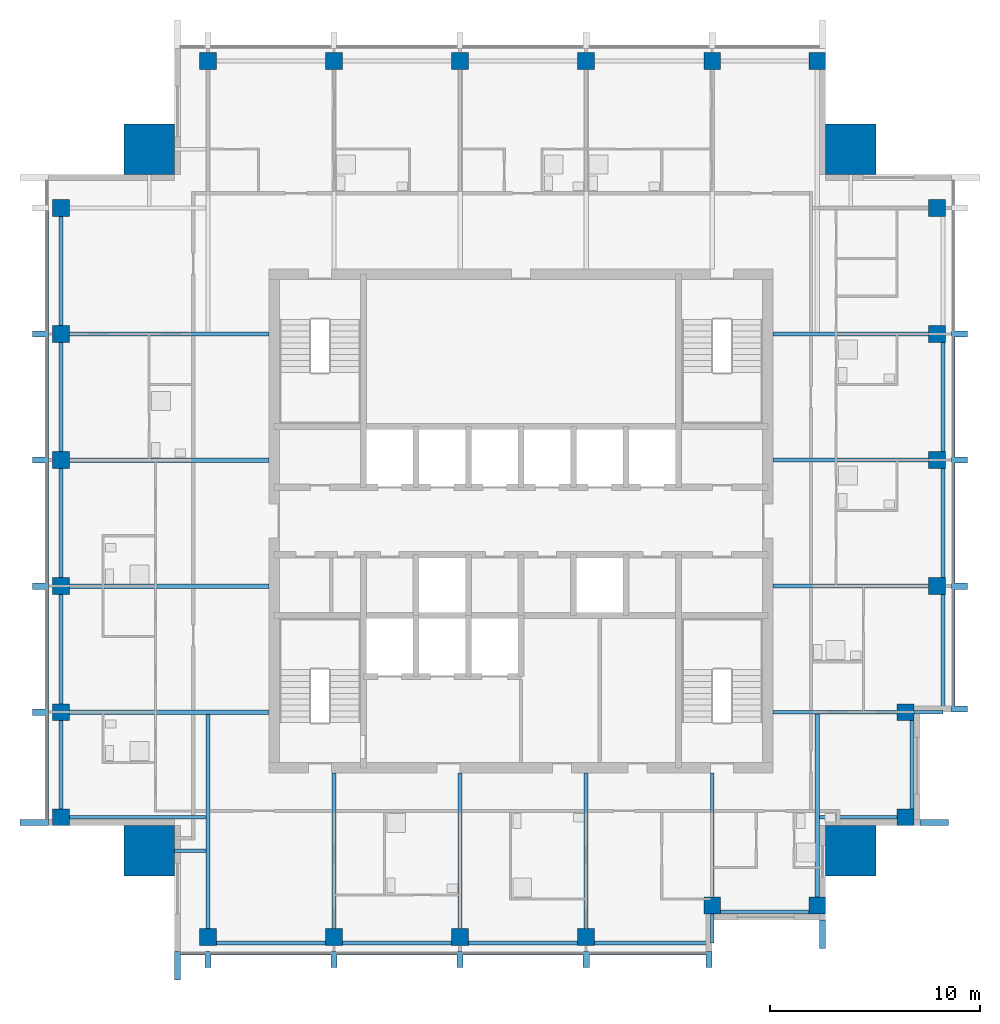
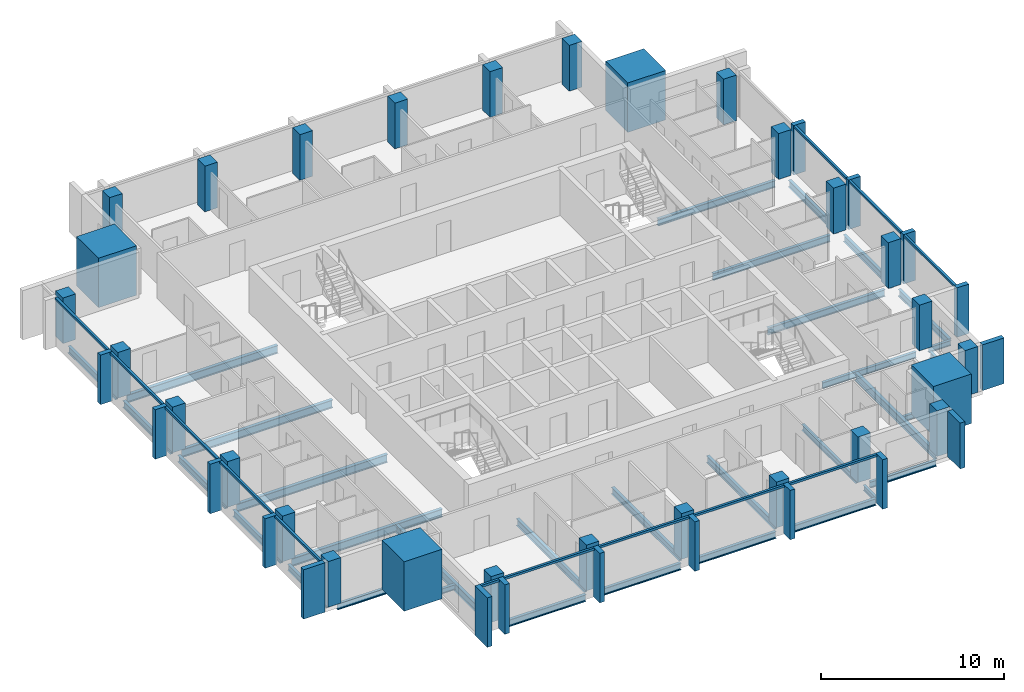
# One storey, part 1 of 9: 33 beams, 30 members, 28 columns, 3 elements without a shape of their own.
"""IFC4 building model written with IfcOpenShell, lengths in metres."""

from ifc_helpers import new_model, si_unit, direction, frame, origin, origin_2d, place, context, subcontext, project, spatial, rectangle, i_section, extrude, material, material_profile, profile_set, type_object, element, aggregate, save


model = new_model("IFC4")

# Units and contexts
model_context = context("Model", 3, precision=1e-05, world=origin(), true_north=direction((0.0, 1.0)))
body_context = subcontext(model_context, "Body", "Model", "MODEL_VIEW")
ifc_project = project(units=[si_unit("LENGTHUNIT", "METRE"), si_unit("AREAUNIT", "SQUARE_METRE"), si_unit("VOLUMEUNIT", "CUBIC_METRE"), si_unit("PLANEANGLEUNIT", "RADIAN"), si_unit("MASSUNIT", "GRAM", prefix="KILO")], contexts=[model_context])

# Site, building, storey
site_placement = place(None, origin())
site = spatial("IfcSite", under=ifc_project, at=site_placement, CompositionType="ELEMENT")
building_placement = place(site_placement, origin())
building = spatial("IfcBuilding", under=site, at=building_placement, Name="Amberfall Residences", CompositionType="ELEMENT")
storey_placement = place(building_placement, frame((0.0, 0.0, 265.300048828125)))
storey = spatial("IfcBuildingStorey", under=building, at=storey_placement, Name="L71", CompositionType="ELEMENT", Elevation=265.300048828125)

# Columns
ifc_material_1 = material(Name="Concrete C50", Category="concrete")
ifc_material_profile_1 = material_profile(ifc_material_1, rectangle(XDim=0.800048828125, YDim=0.800048828125, at=origin_2d()), Name="Column 800 x 800 C50")
ifc_profile_set_1 = profile_set([ifc_material_profile_1], Name="Concrete C50")
column_type_1 = type_object("IfcColumnType", Name="Column 800 x 800 C50", PredefinedType="COLUMN", material=ifc_profile_set_1)
for number, where, z_axis, x_axis, name in (
    (1, (59.60009765625, 25.699951171875, 0.0), (0.0, 0.0, 1.0), (1.0, 0.0, 0.0), "Column C5 L71 S1"),
    (2, (65.60009765625, 25.699951171875, 0.0), (0.0, 0.0, 1.0), (1.0, 0.0, 0.0), "Column C5 L71 S2"),
    (3, (71.60009765625, 25.699951171875, 0.0), (0.0, 0.0, 1.0), (1.0, 0.0, 0.0), "Column C5 L71 S3"),
    (4, (77.60009765625, 25.699951171875, 0.0), (0.0, 0.0, 1.0), (1.0, 0.0, 0.0), "Column C5 L71 S4"),
    (5, (83.60009765625, 27.199951171875, 0.0), (0.0, 0.0, 1.0), (1.0, 0.0, 0.0), "Column C5 L71 S5"),
    (6, (88.60009765625, 27.199951171875, 0.0), (0.0, 0.0, 1.0), (1.0, 0.0, 0.0), "Column C5 L71 S6"),
    (7, (92.800048828125, 31.39990234375, 0.0), (0.0, 0.0, 1.0), (1.0, 0.0, 0.0), "Column C5 L71 E1"),
    (8, (92.800048828125, 36.39990234375, 0.0), (0.0, 0.0, 1.0), (1.0, 0.0, 0.0), "Column C5 L71 E2"),
    (9, (94.300048828125, 42.39990234375, 0.0), (0.0, 0.0, 1.0), (1.0, 0.0, 0.0), "Column C5 L71 E3"),
    (10, (94.300048828125, 48.39990234375, 0.0), (0.0, 0.0, 1.0), (1.0, 0.0, 0.0), "Column C5 L71 E4"),
    (11, (94.300048828125, 54.39990234375, 0.0), (0.0, 0.0, 1.0), (1.0, 0.0, 0.0), "Column C5 L71 E5"),
    (12, (94.300048828125, 60.39990234375, 0.0), (0.0, 0.0, 1.0), (1.0, 0.0, 0.0), "Column C5 L71 E6"),
    (13, (59.60009765625, 67.39990234375, 0.0), (0.0, 0.0, 1.0), (1.0, 0.0, 0.0), "Column C5 L71 N1"),
    (14, (65.60009765625, 67.39990234375, 0.0), (0.0, 0.0, 1.0), (1.0, 0.0, 0.0), "Column C5 L71 N2"),
    (15, (71.60009765625, 67.39990234375, 0.0), (0.0, 0.0, 1.0), (1.0, 0.0, 0.0), "Column C5 L71 N3"),
    (16, (77.60009765625, 67.39990234375, 0.0), (0.0, 0.0, 1.0), (1.0, 0.0, 0.0), "Column C5 L71 N4"),
    (17, (83.60009765625, 67.39990234375, 0.0), (0.0, 0.0, 1.0), (1.0, 0.0, 0.0), "Column C5 L71 N5"),
    (18, (88.60009765625, 67.39990234375, 0.0), (0.0, 0.0, 1.0), (1.0, 0.0, 0.0), "Column C5 L71 N6"),
    (19, (52.60009765625, 31.39990234375, 0.0), (0.0, 0.0, 1.0), (1.0, 0.0, 0.0), "Column C5 L71 W1"),
    (20, (52.60009765625, 36.39990234375, 0.0), (0.0, 0.0, 1.0), (1.0, 0.0, 0.0), "Column C5 L71 W2"),
    (21, (52.60009765625, 42.39990234375, 0.0), (0.0, 0.0, 1.0), (1.0, 0.0, 0.0), "Column C5 L71 W3"),
    (22, (52.60009765625, 48.39990234375, 0.0), (0.0, 0.0, 1.0), (1.0, 0.0, 0.0), "Column C5 L71 W4"),
    (23, (52.60009765625, 54.39990234375, 0.0), (0.0, 0.0, 1.0), (1.0, 0.0, 0.0), "Column C5 L71 W5"),
    (24, (52.60009765625, 60.39990234375, 0.0), (0.0, 0.0, 1.0), (1.0, 0.0, 0.0), "Column C5 L71 W6"),
):
    element("IfcColumn", number, at=place(storey_placement, frame(where, z_axis=z_axis, x_axis=x_axis)), inside=storey, type_object=column_type_1, Name=name, PredefinedType="COLUMN", context=body_context, shape_type="SweptSolid", body=[
        extrude(rectangle(XDim=0.800048828125, YDim=0.800048828125, at=origin_2d()), origin(), (0.0, 0.0, 1.0), 3.050048828125),
    ])
ifc_material_profile_2 = material_profile(ifc_material_1, rectangle(XDim=2.39990234375, YDim=2.39990234375, at=origin_2d()), Name="Mega column 2400 x 2400 C50")
ifc_profile_set_2 = profile_set([ifc_material_profile_2], Name="Concrete C50")
column_type_2 = type_object("IfcColumnType", Name="Mega column 2400 x 2400 C50", PredefinedType="COLUMN", material=ifc_profile_set_2)
for number, where, z_axis, x_axis, name in (
    (25, (56.800048828125, 29.800048828125, 0.0), (0.0, 0.0, 1.0), (1.0, 0.0, 0.0), "Mega column MC11 L71 SW"),
    (26, (90.199951171875, 29.800048828125, 0.0), (0.0, 0.0, 1.0), (1.0, 0.0, 0.0), "Mega column MC11 L71 SE"),
    (27, (90.199951171875, 63.199951171875, 0.0), (0.0, 0.0, 1.0), (1.0, 0.0, 0.0), "Mega column MC11 L71 NE"),
    (28, (56.800048828125, 63.199951171875, 0.0), (0.0, 0.0, 1.0), (1.0, 0.0, 0.0), "Mega column MC11 L71 NW"),
):
    element("IfcColumn", number, at=place(storey_placement, frame(where, z_axis=z_axis, x_axis=x_axis)), inside=storey, type_object=column_type_2, Name=name, PredefinedType="COLUMN", context=body_context, shape_type="SweptSolid", body=[
        extrude(rectangle(XDim=2.39990234375, YDim=2.39990234375, at=origin_2d()), origin(), (0.0, 0.0, 1.0), 3.300048828125),
    ])

# Curtain wall, members
ifc_material_2 = material(Name="Bronze anodised aluminium and glass", Category="aluminium")
curtain_wall_type = type_object("IfcCurtainWallType", Name="Curtain wall CW1 tower unit", PredefinedType="USERDEFINED", material=ifc_material_2)
curtain_wall_1_placement = place(storey_placement, origin())
curtain_wall_1 = element("IfcCurtainWall", 29, at=curtain_wall_1_placement, inside=storey, type_object=curtain_wall_type, Name="Curtain wall L71 S S1", ObjectType="UNITISED CURTAIN WALL", PredefinedType="USERDEFINED")
ifc_material_3 = material(Name="Bronze anodised aluminium", Category="aluminium")
ifc_material_profile_3 = material_profile(ifc_material_3, rectangle(XDim=0.14990234375, YDim=0.14990234375, at=origin_2d()), Name="CW1 transom 150 x 150 bronze")
ifc_profile_set_3 = profile_set([ifc_material_profile_3], Name="Bronze anodised aluminium")
member_type_1 = type_object("IfcMemberType", Name="CW1 transom 150 x 150 bronze", PredefinedType="USERDEFINED", material=ifc_profile_set_3)
member_1_placement = place(storey_placement, frame((58.300048828125, 24.925048828125, 2.974853515625), z_axis=(1.0, 0.0, 0.0), x_axis=(0.0, 1.0, 0.0)))
member_1 = element("IfcMember", 30, at=member_1_placement, type_object=member_type_1, Name="CW1 transom 1.1", ObjectType="TRANSOM", PredefinedType="USERDEFINED", context=body_context, shape_type="SweptSolid", body=[
    extrude(rectangle(XDim=0.14990234375, YDim=0.14990234375, at=origin_2d()), origin(), (0.0, 0.0, 1.0), 1.14990234375),
])
member_2_placement = place(storey_placement, frame((59.75, 24.925048828125, 2.974853515625), z_axis=(1.0, 0.0, 0.0), x_axis=(0.0, 1.0, 0.0)))
member_2 = element("IfcMember", 31, at=member_2_placement, type_object=member_type_1, Name="CW1 transom 2.1", ObjectType="TRANSOM", PredefinedType="USERDEFINED", context=body_context, shape_type="SweptSolid", body=[
    extrude(rectangle(XDim=0.14990234375, YDim=0.14990234375, at=origin_2d()), origin(), (0.0, 0.0, 1.0), 5.699951171875),
])
member_3_placement = place(storey_placement, frame((65.75, 24.925048828125, 2.974853515625), z_axis=(1.0, 0.0, 0.0), x_axis=(0.0, 1.0, 0.0)))
member_3 = element("IfcMember", 32, at=member_3_placement, type_object=member_type_1, Name="CW1 transom 3.1", ObjectType="TRANSOM", PredefinedType="USERDEFINED", context=body_context, shape_type="SweptSolid", body=[
    extrude(rectangle(XDim=0.14990234375, YDim=0.14990234375, at=origin_2d()), origin(), (0.0, 0.0, 1.0), 5.699951171875),
])
member_4_placement = place(storey_placement, frame((71.75, 24.925048828125, 2.974853515625), z_axis=(1.0, 0.0, 0.0), x_axis=(0.0, 1.0, 0.0)))
member_4 = element("IfcMember", 33, at=member_4_placement, type_object=member_type_1, Name="CW1 transom 4.1", ObjectType="TRANSOM", PredefinedType="USERDEFINED", context=body_context, shape_type="SweptSolid", body=[
    extrude(rectangle(XDim=0.14990234375, YDim=0.14990234375, at=origin_2d()), origin(), (0.0, 0.0, 1.0), 5.699951171875),
])
member_5_placement = place(storey_placement, frame((77.75, 24.925048828125, 2.974853515625), z_axis=(1.0, 0.0, 0.0), x_axis=(0.0, 1.0, 0.0)))
member_5 = element("IfcMember", 34, at=member_5_placement, type_object=member_type_1, Name="CW1 transom 5.1", ObjectType="TRANSOM", PredefinedType="USERDEFINED", context=body_context, shape_type="SweptSolid", body=[
    extrude(rectangle(XDim=0.14990234375, YDim=0.14990234375, at=origin_2d()), origin(), (0.0, 0.0, 1.0), 5.550048828125),
])

curtain_wall_2_placement = place(storey_placement, origin())
curtain_wall_2 = element("IfcCurtainWall", 35, at=curtain_wall_2_placement, inside=storey, type_object=curtain_wall_type, Name="Curtain wall L71 E E3", ObjectType="UNITISED CURTAIN WALL", PredefinedType="USERDEFINED")
member_6_placement = place(storey_placement, frame((95.074951171875, 36.699951171875, 2.974853515625), z_axis=(0.0, 1.0, 0.0), x_axis=(-1.0, 0.0, 0.0)))
member_6 = element("IfcMember", 36, at=member_6_placement, type_object=member_type_1, Name="CW1 transom 1.1", ObjectType="TRANSOM", PredefinedType="USERDEFINED", context=body_context, shape_type="SweptSolid", body=[
    extrude(rectangle(XDim=0.14990234375, YDim=0.14990234375, at=origin_2d()), origin(), (0.0, 0.0, 1.0), 5.550048828125),
])
member_7_placement = place(storey_placement, frame((95.074951171875, 42.550048828125, 2.974853515625), z_axis=(0.0, 1.0, 0.0), x_axis=(-1.0, 0.0, 0.0)))
member_7 = element("IfcMember", 37, at=member_7_placement, type_object=member_type_1, Name="CW1 transom 2.1", ObjectType="TRANSOM", PredefinedType="USERDEFINED", context=body_context, shape_type="SweptSolid", body=[
    extrude(rectangle(XDim=0.14990234375, YDim=0.14990234375, at=origin_2d()), origin(), (0.0, 0.0, 1.0), 5.699951171875),
])
member_8_placement = place(storey_placement, frame((95.074951171875, 48.550048828125, 2.974853515625), z_axis=(0.0, 1.0, 0.0), x_axis=(-1.0, 0.0, 0.0)))
member_8 = element("IfcMember", 38, at=member_8_placement, type_object=member_type_1, Name="CW1 transom 3.1", ObjectType="TRANSOM", PredefinedType="USERDEFINED", context=body_context, shape_type="SweptSolid", body=[
    extrude(rectangle(XDim=0.14990234375, YDim=0.14990234375, at=origin_2d()), origin(), (0.0, 0.0, 1.0), 5.699951171875),
])

curtain_wall_3_placement = place(storey_placement, origin())
curtain_wall_3 = element("IfcCurtainWall", 39, at=curtain_wall_3_placement, inside=storey, type_object=curtain_wall_type, Name="Curtain wall L71 W W1", ObjectType="UNITISED CURTAIN WALL", PredefinedType="USERDEFINED")
member_9_placement = place(storey_placement, frame((51.925048828125, 60.25, 2.974853515625), z_axis=(0.0, -1.0, 0.0), x_axis=(1.0, 0.0, 0.0)))
member_9 = element("IfcMember", 40, at=member_9_placement, type_object=member_type_1, Name="CW1 transom 2.1", ObjectType="TRANSOM", PredefinedType="USERDEFINED", context=body_context, shape_type="SweptSolid", body=[
    extrude(rectangle(XDim=0.14990234375, YDim=0.14990234375, at=origin_2d()), origin(), (0.0, 0.0, 1.0), 5.699951171875),
])
member_10_placement = place(storey_placement, frame((51.925048828125, 54.25, 2.974853515625), z_axis=(0.0, -1.0, 0.0), x_axis=(1.0, 0.0, 0.0)))
member_10 = element("IfcMember", 41, at=member_10_placement, type_object=member_type_1, Name="CW1 transom 3.1", ObjectType="TRANSOM", PredefinedType="USERDEFINED", context=body_context, shape_type="SweptSolid", body=[
    extrude(rectangle(XDim=0.14990234375, YDim=0.14990234375, at=origin_2d()), origin(), (0.0, 0.0, 1.0), 5.699951171875),
])
member_11_placement = place(storey_placement, frame((51.925048828125, 48.25, 2.974853515625), z_axis=(0.0, -1.0, 0.0), x_axis=(1.0, 0.0, 0.0)))
member_11 = element("IfcMember", 42, at=member_11_placement, type_object=member_type_1, Name="CW1 transom 4.1", ObjectType="TRANSOM", PredefinedType="USERDEFINED", context=body_context, shape_type="SweptSolid", body=[
    extrude(rectangle(XDim=0.14990234375, YDim=0.14990234375, at=origin_2d()), origin(), (0.0, 0.0, 1.0), 5.699951171875),
])
member_12_placement = place(storey_placement, frame((51.925048828125, 42.25, 2.974853515625), z_axis=(0.0, -1.0, 0.0), x_axis=(1.0, 0.0, 0.0)))
member_12 = element("IfcMember", 43, at=member_12_placement, type_object=member_type_1, Name="CW1 transom 5.1", ObjectType="TRANSOM", PredefinedType="USERDEFINED", context=body_context, shape_type="SweptSolid", body=[
    extrude(rectangle(XDim=0.14990234375, YDim=0.14990234375, at=origin_2d()), origin(), (0.0, 0.0, 1.0), 5.699951171875),
])
member_13_placement = place(storey_placement, frame((51.925048828125, 36.25, 2.974853515625), z_axis=(0.0, -1.0, 0.0), x_axis=(1.0, 0.0, 0.0)))
member_13 = element("IfcMember", 44, at=member_13_placement, type_object=member_type_1, Name="CW1 transom 6.1", ObjectType="TRANSOM", PredefinedType="USERDEFINED", context=body_context, shape_type="SweptSolid", body=[
    extrude(rectangle(XDim=0.14990234375, YDim=0.14990234375, at=origin_2d()), origin(), (0.0, 0.0, 1.0), 4.949951171875),
])

# Beams
ifc_material_4 = material(Name="Steel S355", Category="steel")
ifc_material_profile_4 = material_profile(ifc_material_4, i_section(OverallWidth=0.171142578125, OverallDepth=0.351318359375, WebThickness=0.007080078125, FlangeThickness=0.009765625, FilletRadius=0.01025390625, at=origin_2d()), Name="UB 356x171x45")
ifc_profile_set_4 = profile_set([ifc_material_profile_4], Name="Steel S355")
beam_type_1 = type_object("IfcBeamType", Name="Cantilever girder UB 356x171x45", PredefinedType="BEAM", material=ifc_profile_set_4)
for number, where, z_axis, x_axis, name in (
    (45, (83.60009765625, 26.800048828125, -0.42578125), (0.0, -1.0, 0.0), (1.0, 0.0, 0.0), "Cantilever girder B8 L71 06"),
    (46, (93.199951171875, 36.39990234375, -0.42578125), (1.0, 0.0, 0.0), (0.0, 1.0, 0.0), "Cantilever girder B8 L71 18"),
):
    element("IfcBeam", number, at=place(storey_placement, frame(where, z_axis=z_axis, x_axis=x_axis)), inside=storey, type_object=beam_type_1, Name=name, PredefinedType="BEAM", context=body_context, shape_type="SweptSolid", body=[
        extrude(i_section(OverallWidth=0.171142578125, OverallDepth=0.351318359375, WebThickness=0.007080078125, FlangeThickness=0.009765625, FilletRadius=0.01025390625, at=origin_2d()), origin(), (0.0, 0.0, 1.0), 1.400146484375),
    ])

# Member
ifc_material_profile_5 = material_profile(ifc_material_3, rectangle(XDim=1.35009765625, YDim=0.300048828125, at=origin_2d()), Name="Corner fin 300 x 1350 bronze")
ifc_profile_set_5 = profile_set([ifc_material_profile_5], Name="Bronze anodised aluminium")
member_type_2 = type_object("IfcMemberType", Name="Corner fin 300 x 1350 bronze", PredefinedType="MULLION", material=ifc_profile_set_5)
member_14_placement = place(storey_placement, frame((58.14990234375, 24.324951171875, -0.25), z_axis=(0.0, 0.0, 1.0), x_axis=(0.0, 1.0, 0.0)))
member_14 = element("IfcMember", 47, at=member_14_placement, type_object=member_type_2, Name="CW FIN 1", PredefinedType="MULLION", context=body_context, shape_type="SweptSolid", body=[
    extrude(rectangle(XDim=1.35009765625, YDim=0.300048828125, at=origin_2d()), origin(), (0.0, 0.0, 1.0), 3.300048828125),
])

member_15_placement = place(storey_placement, frame((51.324951171875, 31.14990234375, -0.25), z_axis=(0.0, 0.0, 1.0), x_axis=(1.0, 0.0, 0.0)))
member_15 = element("IfcMember", 48, at=member_15_placement, type_object=member_type_2, Name="CW FIN 7", PredefinedType="MULLION", context=body_context, shape_type="SweptSolid", body=[
    extrude(rectangle(XDim=1.35009765625, YDim=0.300048828125, at=origin_2d()), origin(), (0.0, 0.0, 1.0), 3.300048828125),
])

# Beams
ifc_material_profile_6 = material_profile(ifc_material_4, i_section(OverallWidth=0.177734375, OverallDepth=0.402587890625, WebThickness=0.0078125, FlangeThickness=0.010986328125, FilletRadius=0.01025390625, at=origin_2d()), Name="UB 406x178x54")
ifc_profile_set_6 = profile_set([ifc_material_profile_6], Name="Steel S355")
beam_type_2 = type_object("IfcBeamType", Name="Edge beam UB 406x178x54", PredefinedType="SPANDREL", material=ifc_profile_set_6)
for number, where, z_axis, x_axis, name in (
    (49, (84.0, 26.89990234375, -0.451416015625), (1.0, 0.0, 0.0), (0.0, 1.0, 0.0), "Edge beam B14 L71 05"),
    (50, (93.10009765625, 31.800048828125, -0.451416015625), (0.0, 1.0, 0.0), (-1.0, 0.0, 0.0), "Edge beam B14 L71 13"),
    (51, (52.60009765625, 31.800048828125, -0.451416015625), (0.0, 1.0, 0.0), (-1.0, 0.0, 0.0), "Edge beam B14 L71 36"),
):
    element("IfcBeam", number, at=place(storey_placement, frame(where, z_axis=z_axis, x_axis=x_axis)), inside=storey, type_object=beam_type_2, Name=name, PredefinedType="SPANDREL", context=body_context, shape_type="SweptSolid", body=[
        extrude(i_section(OverallWidth=0.177734375, OverallDepth=0.402587890625, WebThickness=0.0078125, FlangeThickness=0.010986328125, FilletRadius=0.01025390625, at=origin_2d()), origin(), (0.0, 0.0, 1.0), 4.199951171875),
    ])
ifc_material_profile_7 = material_profile(ifc_material_4, i_section(OverallWidth=0.18994140625, OverallDepth=0.453369140625, WebThickness=0.008544921875, FlangeThickness=0.0126953125, FilletRadius=0.01025390625, at=origin_2d()), Name="UB 457x191x67")
ifc_profile_set_7 = profile_set([ifc_material_profile_7], Name="Steel S355")
beam_type_3 = type_object("IfcBeamType", Name="Edge beam UB 457x191x67", PredefinedType="SPANDREL", material=ifc_profile_set_7)
for number, where, z_axis, x_axis, name in (
    (52, (60.0, 25.39990234375, -0.476806640625), (1.0, 0.0, 0.0), (0.0, 1.0, 0.0), "Edge beam B1 L71 01"),
    (53, (66.0, 25.39990234375, -0.476806640625), (1.0, 0.0, 0.0), (0.0, 1.0, 0.0), "Edge beam B1 L71 02"),
    (54, (72.0, 25.39990234375, -0.476806640625), (1.0, 0.0, 0.0), (0.0, 1.0, 0.0), "Edge beam B1 L71 03"),
):
    element("IfcBeam", number, at=place(storey_placement, frame(where, z_axis=z_axis, x_axis=x_axis)), inside=storey, type_object=beam_type_3, Name=name, PredefinedType="SPANDREL", context=body_context, shape_type="SweptSolid", body=[
        extrude(i_section(OverallWidth=0.18994140625, OverallDepth=0.453369140625, WebThickness=0.008544921875, FlangeThickness=0.0126953125, FilletRadius=0.01025390625, at=origin_2d()), origin(), (0.0, 0.0, 1.0), 5.199951171875),
    ])
for number, where, z_axis, x_axis, name in (
    (55, (78.0, 25.39990234375, -0.476806640625), (1.0, 0.0, 0.0), (0.0, 1.0, 0.0), "Edge beam B1 L71 04"),
    (56, (94.60009765625, 36.47998046875, -0.476806640625), (0.0, 1.0, 0.0), (-1.0, 0.0, 0.0), "Edge beam B1 L71 14"),
):
    element("IfcBeam", number, at=place(storey_placement, frame(where, z_axis=z_axis, x_axis=x_axis)), inside=storey, type_object=beam_type_3, Name=name, PredefinedType="SPANDREL", context=body_context, shape_type="SweptSolid", body=[
        extrude(i_section(OverallWidth=0.18994140625, OverallDepth=0.453369140625, WebThickness=0.008544921875, FlangeThickness=0.0126953125, FilletRadius=0.01025390625, at=origin_2d()), origin(), (0.0, 0.0, 1.0), 5.52001953125),
    ])
for number, where, z_axis, x_axis, name in (
    (57, (94.60009765625, 42.800048828125, -0.476806640625), (0.0, 1.0, 0.0), (-1.0, 0.0, 0.0), "Edge beam B1 L71 15"),
    (58, (94.60009765625, 48.800048828125, -0.476806640625), (0.0, 1.0, 0.0), (-1.0, 0.0, 0.0), "Edge beam B1 L71 16"),
    (59, (52.60009765625, 36.800048828125, -0.476806640625), (0.0, 1.0, 0.0), (-1.0, 0.0, 0.0), "Edge beam B1 L71 37"),
    (60, (52.60009765625, 42.800048828125, -0.476806640625), (0.0, 1.0, 0.0), (-1.0, 0.0, 0.0), "Edge beam B1 L71 38"),
    (61, (52.60009765625, 48.800048828125, -0.476806640625), (0.0, 1.0, 0.0), (-1.0, 0.0, 0.0), "Edge beam B1 L71 39"),
    (62, (52.60009765625, 54.800048828125, -0.476806640625), (0.0, 1.0, 0.0), (-1.0, 0.0, 0.0), "Edge beam B1 L71 40"),
):
    element("IfcBeam", number, at=place(storey_placement, frame(where, z_axis=z_axis, x_axis=x_axis)), inside=storey, type_object=beam_type_3, Name=name, PredefinedType="SPANDREL", context=body_context, shape_type="SweptSolid", body=[
        extrude(i_section(OverallWidth=0.18994140625, OverallDepth=0.453369140625, WebThickness=0.008544921875, FlangeThickness=0.0126953125, FilletRadius=0.01025390625, at=origin_2d()), origin(), (0.0, 0.0, 1.0), 5.199951171875),
    ])

# Member
ifc_material_profile_8 = material_profile(ifc_material_3, rectangle(XDim=0.75, YDim=0.300048828125, at=origin_2d()), Name="Fin 300 x 750 bronze")
ifc_profile_set_8 = profile_set([ifc_material_profile_8], Name="Bronze anodised aluminium")
member_type_3 = type_object("IfcMemberType", Name="Fin 300 x 750 bronze", PredefinedType="MULLION", material=ifc_profile_set_8)
member_16_placement = place(storey_placement, frame((59.60009765625, 24.625, -0.25), z_axis=(0.0, 0.0, 1.0), x_axis=(0.0, 1.0, 0.0)))
member_16 = element("IfcMember", 63, at=member_16_placement, type_object=member_type_3, Name="CW FIN 2", PredefinedType="MULLION", context=body_context, shape_type="SweptSolid", body=[
    extrude(rectangle(XDim=0.75, YDim=0.300048828125, at=origin_2d()), origin(), (0.0, 0.0, 1.0), 3.300048828125),
])

member_17_placement = place(storey_placement, frame((65.60009765625, 24.625, -0.25), z_axis=(0.0, 0.0, 1.0), x_axis=(0.0, 1.0, 0.0)))
member_17 = element("IfcMember", 64, at=member_17_placement, type_object=member_type_3, Name="CW FIN 3", PredefinedType="MULLION", context=body_context, shape_type="SweptSolid", body=[
    extrude(rectangle(XDim=0.75, YDim=0.300048828125, at=origin_2d()), origin(), (0.0, 0.0, 1.0), 3.300048828125),
])

member_18_placement = place(storey_placement, frame((71.60009765625, 24.625, -0.25), z_axis=(0.0, 0.0, 1.0), x_axis=(0.0, 1.0, 0.0)))
member_18 = element("IfcMember", 65, at=member_18_placement, type_object=member_type_3, Name="CW FIN 4", PredefinedType="MULLION", context=body_context, shape_type="SweptSolid", body=[
    extrude(rectangle(XDim=0.75, YDim=0.300048828125, at=origin_2d()), origin(), (0.0, 0.0, 1.0), 3.300048828125),
])

member_19_placement = place(storey_placement, frame((77.60009765625, 24.625, -0.25), z_axis=(0.0, 0.0, 1.0), x_axis=(0.0, 1.0, 0.0)))
member_19 = element("IfcMember", 66, at=member_19_placement, type_object=member_type_3, Name="CW FIN 5", PredefinedType="MULLION", context=body_context, shape_type="SweptSolid", body=[
    extrude(rectangle(XDim=0.75, YDim=0.300048828125, at=origin_2d()), origin(), (0.0, 0.0, 1.0), 3.300048828125),
])

member_20_placement = place(storey_placement, frame((83.449951171875, 24.625, -0.25), z_axis=(0.0, 0.0, 1.0), x_axis=(0.0, 1.0, 0.0)))
member_20 = element("IfcMember", 67, at=member_20_placement, type_object=member_type_3, Name="CW FIN 6", PredefinedType="MULLION", context=body_context, shape_type="SweptSolid", body=[
    extrude(rectangle(XDim=0.75, YDim=0.300048828125, at=origin_2d()), origin(), (0.0, 0.0, 1.0), 3.300048828125),
])

aggregate(curtain_wall_1, [member_14, member_16, member_17, member_18, member_19, member_20, member_1, member_2, member_3, member_4, member_5])

member_21_placement = place(storey_placement, frame((95.375, 36.550048828125, -0.25), z_axis=(0.0, 0.0, 1.0), x_axis=(-1.0, 0.0, 0.0)))
member_21 = element("IfcMember", 68, at=member_21_placement, type_object=member_type_3, Name="CW FIN 1", PredefinedType="MULLION", context=body_context, shape_type="SweptSolid", body=[
    extrude(rectangle(XDim=0.75, YDim=0.300048828125, at=origin_2d()), origin(), (0.0, 0.0, 1.0), 3.300048828125),
])

member_22_placement = place(storey_placement, frame((95.375, 42.39990234375, -0.25), z_axis=(0.0, 0.0, 1.0), x_axis=(-1.0, 0.0, 0.0)))
member_22 = element("IfcMember", 69, at=member_22_placement, type_object=member_type_3, Name="CW FIN 2", PredefinedType="MULLION", context=body_context, shape_type="SweptSolid", body=[
    extrude(rectangle(XDim=0.75, YDim=0.300048828125, at=origin_2d()), origin(), (0.0, 0.0, 1.0), 3.300048828125),
])

member_23_placement = place(storey_placement, frame((95.375, 48.39990234375, -0.25), z_axis=(0.0, 0.0, 1.0), x_axis=(-1.0, 0.0, 0.0)))
member_23 = element("IfcMember", 70, at=member_23_placement, type_object=member_type_3, Name="CW FIN 3", PredefinedType="MULLION", context=body_context, shape_type="SweptSolid", body=[
    extrude(rectangle(XDim=0.75, YDim=0.300048828125, at=origin_2d()), origin(), (0.0, 0.0, 1.0), 3.300048828125),
])

member_24_placement = place(storey_placement, frame((95.375, 54.39990234375, -0.25), z_axis=(0.0, 0.0, 1.0), x_axis=(-1.0, 0.0, 0.0)))
member_24 = element("IfcMember", 71, at=member_24_placement, type_object=member_type_3, Name="CW FIN 4", PredefinedType="MULLION", context=body_context, shape_type="SweptSolid", body=[
    extrude(rectangle(XDim=0.75, YDim=0.300048828125, at=origin_2d()), origin(), (0.0, 0.0, 1.0), 3.300048828125),
])

aggregate(curtain_wall_2, [member_21, member_22, member_23, member_24, member_6, member_7, member_8])

member_25_placement = place(storey_placement, frame((51.625, 54.39990234375, -0.25), z_axis=(0.0, 0.0, 1.0), x_axis=(1.0, 0.0, 0.0)))
member_25 = element("IfcMember", 72, at=member_25_placement, type_object=member_type_3, Name="CW FIN 3", PredefinedType="MULLION", context=body_context, shape_type="SweptSolid", body=[
    extrude(rectangle(XDim=0.75, YDim=0.300048828125, at=origin_2d()), origin(), (0.0, 0.0, 1.0), 3.300048828125),
])

member_26_placement = place(storey_placement, frame((51.625, 48.39990234375, -0.25), z_axis=(0.0, 0.0, 1.0), x_axis=(1.0, 0.0, 0.0)))
member_26 = element("IfcMember", 73, at=member_26_placement, type_object=member_type_3, Name="CW FIN 4", PredefinedType="MULLION", context=body_context, shape_type="SweptSolid", body=[
    extrude(rectangle(XDim=0.75, YDim=0.300048828125, at=origin_2d()), origin(), (0.0, 0.0, 1.0), 3.300048828125),
])

member_27_placement = place(storey_placement, frame((51.625, 42.39990234375, -0.25), z_axis=(0.0, 0.0, 1.0), x_axis=(1.0, 0.0, 0.0)))
member_27 = element("IfcMember", 74, at=member_27_placement, type_object=member_type_3, Name="CW FIN 5", PredefinedType="MULLION", context=body_context, shape_type="SweptSolid", body=[
    extrude(rectangle(XDim=0.75, YDim=0.300048828125, at=origin_2d()), origin(), (0.0, 0.0, 1.0), 3.300048828125),
])

member_28_placement = place(storey_placement, frame((51.625, 36.39990234375, -0.25), z_axis=(0.0, 0.0, 1.0), x_axis=(1.0, 0.0, 0.0)))
member_28 = element("IfcMember", 75, at=member_28_placement, type_object=member_type_3, Name="CW FIN 6", PredefinedType="MULLION", context=body_context, shape_type="SweptSolid", body=[
    extrude(rectangle(XDim=0.75, YDim=0.300048828125, at=origin_2d()), origin(), (0.0, 0.0, 1.0), 3.300048828125),
])

aggregate(curtain_wall_3, [member_25, member_26, member_27, member_28, member_15, member_9, member_10, member_11, member_12, member_13])

# Beams
ifc_material_profile_9 = material_profile(ifc_material_4, i_section(OverallWidth=0.171142578125, OverallDepth=0.351318359375, WebThickness=0.007080078125, FlangeThickness=0.009765625, FilletRadius=0.01025390625, at=origin_2d()), Name="UB 356x171x45")
ifc_profile_set_9 = profile_set([ifc_material_profile_9], Name="Steel S355")
beam_type_4 = type_object("IfcBeamType", Name="Floor girder UB 356x171x45", PredefinedType="BEAM", material=ifc_profile_set_9)
beam_1_placement = place(storey_placement, frame((92.39990234375, 31.39990234375, -0.42578125), z_axis=(-1.0, 0.0, 0.0), x_axis=(0.0, -1.0, 0.0)))
element("IfcBeam", 76, at=beam_1_placement, inside=storey, type_object=beam_type_4, Name="Floor girder B11 L71 19", PredefinedType="BEAM", context=body_context, shape_type="SweptSolid", body=[
    extrude(i_section(OverallWidth=0.171142578125, OverallDepth=0.351318359375, WebThickness=0.007080078125, FlangeThickness=0.009765625, FilletRadius=0.01025390625, at=origin_2d()), origin(), (0.0, 0.0, 1.0), 3.679931640625),
])
ifc_material_profile_10 = material_profile(ifc_material_4, i_section(OverallWidth=0.177734375, OverallDepth=0.402587890625, WebThickness=0.0078125, FlangeThickness=0.010986328125, FilletRadius=0.01025390625, at=origin_2d()), Name="UB 406x178x54")
ifc_profile_set_10 = profile_set([ifc_material_profile_10], Name="Steel S355")
beam_type_5 = type_object("IfcBeamType", Name="Floor girder UB 406x178x54", PredefinedType="BEAM", material=ifc_profile_set_10)
for number, where, z_axis, x_axis, name in (
    (77, (83.60009765625, 27.60009765625, -0.451416015625), (0.0, 1.0, 0.0), (-1.0, 0.0, 0.0), "Floor girder B4 L71 11"),
    (78, (92.39990234375, 36.39990234375, -0.451416015625), (-1.0, 0.0, 0.0), (0.0, -1.0, 0.0), "Floor girder B4 L71 20"),
):
    element("IfcBeam", number, at=place(storey_placement, frame(where, z_axis=z_axis, x_axis=x_axis)), inside=storey, type_object=beam_type_5, Name=name, PredefinedType="BEAM", context=body_context, shape_type="SweptSolid", body=[
        extrude(i_section(OverallWidth=0.177734375, OverallDepth=0.402587890625, WebThickness=0.0078125, FlangeThickness=0.010986328125, FilletRadius=0.01025390625, at=origin_2d()), origin(), (0.0, 0.0, 1.0), 5.89990234375),
    ])
beam_2_placement = place(storey_placement, frame((53.0, 31.39990234375, -0.451416015625), z_axis=(1.0, 0.0, 0.0), x_axis=(0.0, 1.0, 0.0)))
element("IfcBeam", 79, at=beam_2_placement, inside=storey, type_object=beam_type_5, Name="Floor girder B4 L71 41", PredefinedType="BEAM", context=body_context, shape_type="SweptSolid", body=[
    extrude(i_section(OverallWidth=0.177734375, OverallDepth=0.402587890625, WebThickness=0.0078125, FlangeThickness=0.010986328125, FilletRadius=0.01025390625, at=origin_2d()), origin(), (0.0, 0.0, 1.0), 6.47998046875),
])
ifc_material_profile_11 = material_profile(ifc_material_4, i_section(OverallWidth=0.19140625, OverallDepth=0.4599609375, WebThickness=0.010009765625, FlangeThickness=0.01611328125, FilletRadius=0.01025390625, at=origin_2d()), Name="UB 457x191x82")
ifc_profile_set_11 = profile_set([ifc_material_profile_11], Name="Steel S355")
beam_type_6 = type_object("IfcBeamType", Name="Floor girder UB 457x191x82", PredefinedType="BEAM", material=ifc_profile_set_11)
for number, where, z_axis, x_axis, name in (
    (80, (65.60009765625, 26.10009765625, -0.47998046875), (0.0, 1.0, 0.0), (-1.0, 0.0, 0.0), "Floor girder B10 L71 08"),
    (81, (71.60009765625, 26.10009765625, -0.47998046875), (0.0, 1.0, 0.0), (-1.0, 0.0, 0.0), "Floor girder B10 L71 09"),
    (82, (77.60009765625, 26.10009765625, -0.47998046875), (0.0, 1.0, 0.0), (-1.0, 0.0, 0.0), "Floor girder B10 L71 10"),
    (83, (93.89990234375, 42.39990234375, -0.47998046875), (-1.0, 0.0, 0.0), (0.0, -1.0, 0.0), "Floor girder B10 L71 21"),
    (84, (93.89990234375, 48.39990234375, -0.47998046875), (-1.0, 0.0, 0.0), (0.0, -1.0, 0.0), "Floor girder B10 L71 22"),
    (85, (93.89990234375, 54.39990234375, -0.47998046875), (-1.0, 0.0, 0.0), (0.0, -1.0, 0.0), "Floor girder B10 L71 23"),
):
    element("IfcBeam", number, at=place(storey_placement, frame(where, z_axis=z_axis, x_axis=x_axis)), inside=storey, type_object=beam_type_6, Name=name, PredefinedType="BEAM", context=body_context, shape_type="SweptSolid", body=[
        extrude(i_section(OverallWidth=0.19140625, OverallDepth=0.4599609375, WebThickness=0.010009765625, FlangeThickness=0.01611328125, FilletRadius=0.01025390625, at=origin_2d()), origin(), (0.0, 0.0, 1.0), 7.39990234375),
    ])
ifc_material_profile_12 = material_profile(ifc_material_4, i_section(OverallWidth=0.209228515625, OverallDepth=0.533203125, WebThickness=0.010009765625, FlangeThickness=0.015625, FilletRadius=0.0126953125, at=origin_2d()), Name="UB 533x210x92")
ifc_profile_set_12 = profile_set([ifc_material_profile_12], Name="Steel S355")
beam_type_7 = type_object("IfcBeamType", Name="Floor girder UB 533x210x92", PredefinedType="BEAM", material=ifc_profile_set_12)
beam_3_placement = place(storey_placement, frame((59.60009765625, 26.10009765625, -0.5166015625), z_axis=(0.0, 1.0, 0.0), x_axis=(-1.0, 0.0, 0.0)))
element("IfcBeam", 86, at=beam_3_placement, inside=storey, type_object=beam_type_7, Name="Floor girder B3 L71 07", PredefinedType="BEAM", context=body_context, shape_type="SweptSolid", body=[
    extrude(i_section(OverallWidth=0.209228515625, OverallDepth=0.533203125, WebThickness=0.010009765625, FlangeThickness=0.015625, FilletRadius=0.0126953125, at=origin_2d()), origin(), (0.0, 0.0, 1.0), 10.2001953125),
])
beam_4_placement = place(storey_placement, frame((88.60009765625, 27.60009765625, -0.5166015625), z_axis=(0.0, 1.0, 0.0), x_axis=(-1.0, 0.0, 0.0)))
element("IfcBeam", 87, at=beam_4_placement, inside=storey, type_object=beam_type_7, Name="Floor girder B3 L71 12", PredefinedType="BEAM", context=body_context, shape_type="SweptSolid", body=[
    extrude(i_section(OverallWidth=0.209228515625, OverallDepth=0.533203125, WebThickness=0.010009765625, FlangeThickness=0.015625, FilletRadius=0.0126953125, at=origin_2d()), origin(), (0.0, 0.0, 1.0), 8.716064453125),
])
for number, where, z_axis, x_axis, name in (
    (88, (53.0, 36.39990234375, -0.5166015625), (1.0, 0.0, 0.0), (0.0, 1.0, 0.0), "Floor girder B3 L71 42"),
    (89, (53.0, 42.39990234375, -0.5166015625), (1.0, 0.0, 0.0), (0.0, 1.0, 0.0), "Floor girder B3 L71 43"),
    (90, (53.0, 48.39990234375, -0.5166015625), (1.0, 0.0, 0.0), (0.0, 1.0, 0.0), "Floor girder B3 L71 44"),
    (91, (53.0, 54.39990234375, -0.5166015625), (1.0, 0.0, 0.0), (0.0, 1.0, 0.0), "Floor girder B3 L71 45"),
):
    element("IfcBeam", number, at=place(storey_placement, frame(where, z_axis=z_axis, x_axis=x_axis)), inside=storey, type_object=beam_type_7, Name=name, PredefinedType="BEAM", context=body_context, shape_type="SweptSolid", body=[
        extrude(i_section(OverallWidth=0.209228515625, OverallDepth=0.533203125, WebThickness=0.010009765625, FlangeThickness=0.015625, FilletRadius=0.0126953125, at=origin_2d()), origin(), (0.0, 0.0, 1.0), 9.5),
    ])
ifc_material_profile_13 = material_profile(ifc_material_4, i_section(OverallWidth=0.171142578125, OverallDepth=0.351318359375, WebThickness=0.007080078125, FlangeThickness=0.009765625, FilletRadius=0.01025390625, at=origin_2d()), Name="UB 356x171x45")
ifc_profile_set_13 = profile_set([ifc_material_profile_13], Name="Steel S355")
beam_type_8 = type_object("IfcBeamType", Name="Link beam UB 356x171x45", PredefinedType="BEAM", material=ifc_profile_set_13)
beam_5_placement = place(storey_placement, frame((58.0, 29.800048828125, -0.42578125), z_axis=(1.0, 0.0, 0.0), x_axis=(0.0, 1.0, 0.0)))
element("IfcBeam", 92, at=beam_5_placement, inside=storey, type_object=beam_type_8, Name="Link beam B7 L71 47", PredefinedType="BEAM", context=body_context, shape_type="SweptSolid", body=[
    extrude(i_section(OverallWidth=0.171142578125, OverallDepth=0.351318359375, WebThickness=0.007080078125, FlangeThickness=0.009765625, FilletRadius=0.01025390625, at=origin_2d()), origin(), (0.0, 0.0, 1.0), 1.50537109375),
])

# Members
ifc_material_profile_14 = material_profile(ifc_material_3, rectangle(XDim=1.35009765625, YDim=0.300048828125, at=origin_2d()), Name="Stone corner fin 300 x 1350 bronze")
ifc_profile_set_14 = profile_set([ifc_material_profile_14], Name="Bronze anodised aluminium")
member_type_4 = type_object("IfcMemberType", Name="Stone corner fin 300 x 1350 bronze", PredefinedType="MEMBER", material=ifc_profile_set_14)
for number, where, z_axis, x_axis, name in (
    (93, (88.85009765625, 25.824951171875, 0.0), (0.0, 0.0, 1.0), (0.0, 1.0, 0.0), "Corner fin S"),
    (94, (94.175048828125, 31.14990234375, 0.0), (0.0, 0.0, 1.0), (-1.0, 0.0, 0.0), "Corner fin E"),
):
    element("IfcMember", number, at=place(storey_placement, frame(where, z_axis=z_axis, x_axis=x_axis)), inside=storey, type_object=member_type_4, Name=name, PredefinedType="MEMBER", context=body_context, shape_type="SweptSolid", body=[
        extrude(rectangle(XDim=1.35009765625, YDim=0.300048828125, at=origin_2d()), origin(), (0.0, 0.0, 1.0), 3.050048828125),
    ])

save(model, "model.ifc")
